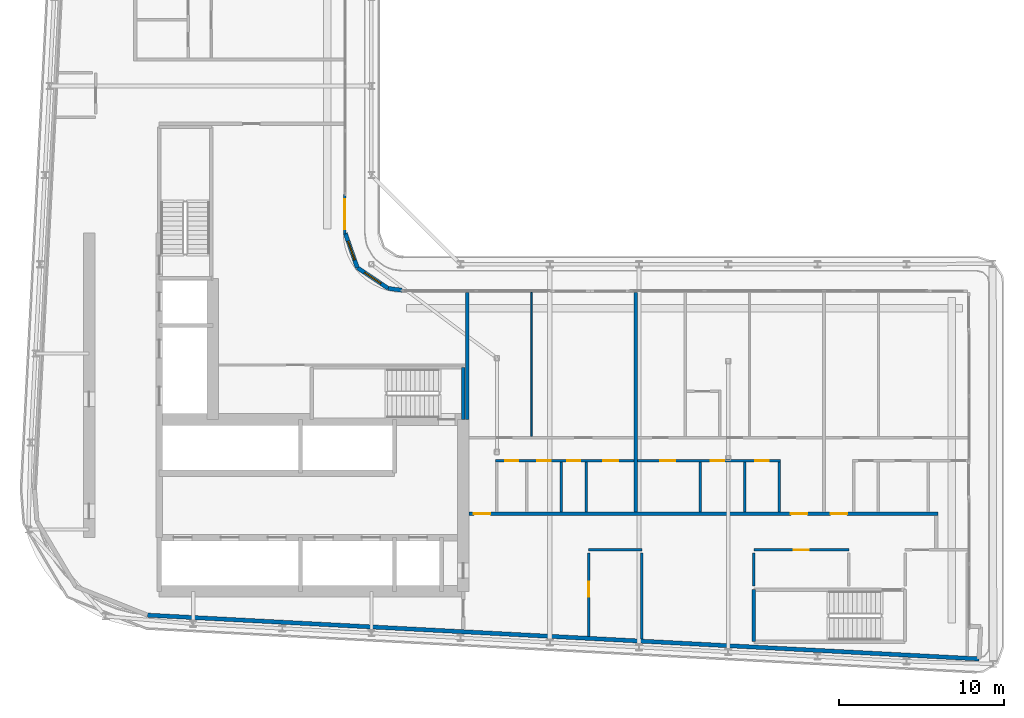
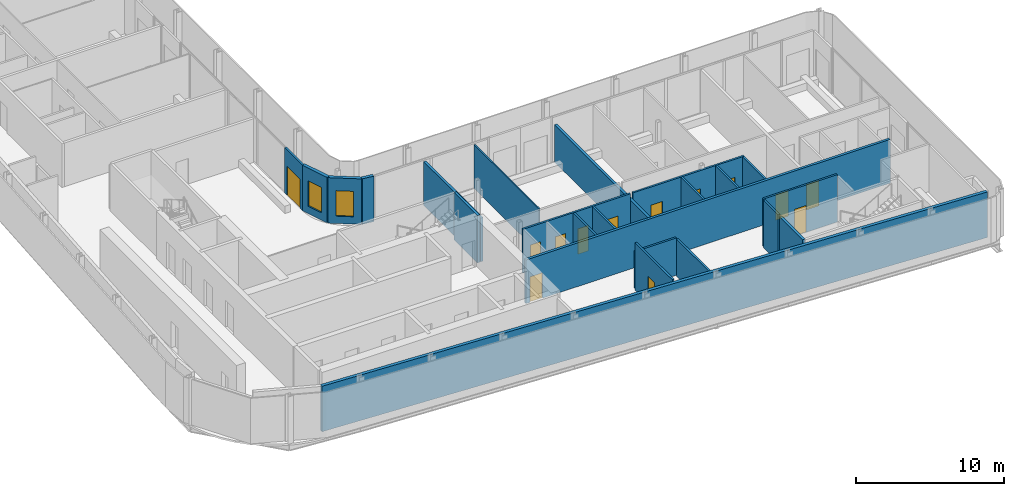
# One storey, part 11 of 22: 23 walls, 13 doors, 2 windows, 15 openings.
"""IFC4 building model written with IfcOpenShell, lengths in metres."""

import ifcopenshell
import ifcopenshell.guid

model = None  # the IFC model being written
_history = None  # IfcOwnerHistory: only IFC2X3 demands one
_inside = {}  # id of a spatial element -> (the spatial element, [elements in it])
_under = {}  # id of a project, library or spatial element -> (it, [spatial elements below it])
_declared = {}  # id of a project -> (the project, [libraries it declares])
_typed = {}  # id of a type object -> (the type object, [elements of that type])
_made_of = {}  # id of a material, layer set ... -> (it, [elements and type objects made of it])


def new_model(schema):
    """Start an empty IFC model of exactly this schema.

    Asked for "IFC4X3", IfcOpenShell would pick the latest addendum, in which some entities
    have other attributes; the version numbers below select the first issue.
    IFC2X3 requires an IfcOwnerHistory on every rooted entity: one is made here for all.
    """
    global model, _history
    if schema == "IFC4X3":
        model = ifcopenshell.file(schema_version=(4, 3, 0, 0))
    else:
        model = ifcopenshell.file(schema=schema)
    _inside.clear()
    _under.clear()
    _declared.clear()
    _typed.clear()
    _made_of.clear()
    _history = None
    if model.schema == "IFC2X3":
        org = make("IfcOrganization", Name="unknown")
        user = make(
            "IfcPersonAndOrganization",
            ThePerson=make("IfcPerson", FamilyName="unknown"),
            TheOrganization=org,
        )
        app = make(
            "IfcApplication",
            ApplicationDeveloper=org,
            Version="unknown",
            ApplicationFullName="unknown",
            ApplicationIdentifier="unknown",
        )
        _history = make(
            "IfcOwnerHistory",
            OwningUser=user,
            OwningApplication=app,
            ChangeAction="ADDED",
            CreationDate=0,
        )
    return model


def make(cls, **values):
    """One entity of the class cls with the attributes given. An attribute that is None is left unset."""
    return model.create_entity(
        cls, **{name: value for name, value in values.items() if value is not None}
    )


def rooted(cls, **values):
    """An entity with a GlobalId (a new one), such as an element, a storey or a relation."""
    return make(cls, GlobalId=ifcopenshell.guid.new(), OwnerHistory=_history, **values)


def si_unit(unit_type, name, prefix=None):
    """IfcSIUnit, for example si_unit("LENGTHUNIT", "METRE", prefix="MILLI")."""
    return make("IfcSIUnit", UnitType=unit_type, Prefix=prefix, Name=name)


def assignment(units):
    """IfcUnitAssignment: the units of a project."""
    return None if units is None else make("IfcUnitAssignment", Units=units)


def point(xyz):
    """IfcCartesianPoint."""
    return None if xyz is None else make("IfcCartesianPoint", Coordinates=xyz)


def direction(xyz):
    """IfcDirection."""
    return None if xyz is None else make("IfcDirection", DirectionRatios=xyz)


def frame(location, z_axis=None, x_axis=None):
    """IfcAxis2Placement3D, a coordinate frame: its origin and axes. An axis left out is left unset."""
    return make(
        "IfcAxis2Placement3D",
        Location=point(location),
        Axis=direction(z_axis),
        RefDirection=direction(x_axis),
    )


def frame_2d(location, x_axis=None):
    """IfcAxis2Placement2D, a coordinate frame in the plane: its origin and x axis."""
    return make(
        "IfcAxis2Placement2D", Location=point(location), RefDirection=direction(x_axis)
    )


def origin():
    """The frame at (0, 0, 0) with its axes left unset."""
    return frame((0.0, 0.0, 0.0))


def place(relative_to, where):
    """IfcLocalPlacement: puts the frame where relative to a parent placement (None: the world)."""
    return make(
        "IfcLocalPlacement", PlacementRelTo=relative_to, RelativePlacement=where
    )


def context(
    kind, dimensions, precision=None, world=None, true_north=None, identifier=None
):
    """IfcGeometricRepresentationContext, for example the 3D "Model" context."""
    return make(
        "IfcGeometricRepresentationContext",
        ContextIdentifier=identifier,
        ContextType=kind,
        CoordinateSpaceDimension=dimensions,
        Precision=precision,
        WorldCoordinateSystem=world,
        TrueNorth=true_north,
    )


def subcontext(parent, identifier, kind, view, scale=None):
    """IfcGeometricRepresentationSubContext, for example "Body" below "Model"."""
    return make(
        "IfcGeometricRepresentationSubContext",
        ContextIdentifier=identifier,
        ContextType=kind,
        ParentContext=parent,
        TargetScale=scale,
        TargetView=view,
    )


def project(units=None, contexts=None):
    """IfcProject with its units and contexts."""
    return rooted(
        "IfcProject",
        Name="project",
        RepresentationContexts=contexts,
        UnitsInContext=assignment(units),
    )


def spatial(cls, under=None, at=None, **own):
    """A site, building, storey or space (cls), placed at a placement, below another one or the project."""
    s = rooted(cls, ObjectPlacement=at, **own)
    if under is not None:
        _under.setdefault(under.id(), (under, []))[1].append(s)
    return s


def profile(cls, at=None, kind="AREA", **sizes):
    """A parametric profile (cls). Its sizes go by their IFC names, for example OverallWidth=200.0."""
    return make(cls, ProfileType=kind, Position=at, **sizes)


def rectangle(**sizes):
    """IfcRectangleProfileDef."""
    return profile("IfcRectangleProfileDef", **sizes)


def extrude(swept, where, along, depth):
    """IfcExtrudedAreaSolid: the profile swept, set in the frame where, extruded along a direction by depth."""
    return make(
        "IfcExtrudedAreaSolid",
        SweptArea=swept,
        Position=where,
        ExtrudedDirection=direction(along),
        Depth=depth,
    )


def shape(context_of_items, identifier, shape_type, items):
    """IfcShapeRepresentation: the items that make up one representation, for example the "Body"."""
    return make(
        "IfcShapeRepresentation",
        ContextOfItems=context_of_items,
        RepresentationIdentifier=identifier,
        RepresentationType=shape_type,
        Items=items,
    )


def source(mapping_origin, context_of_items, identifier, shape_type, items):
    """IfcRepresentationMap: a shape defined once, which mapped items show again and again."""
    return make(
        "IfcRepresentationMap",
        MappingOrigin=mapping_origin,
        MappedRepresentation=shape(context_of_items, identifier, shape_type, items),
    )


def transform(
    local_origin,
    x_axis=None,
    y_axis=None,
    z_axis=None,
    scale=None,
    scale2=None,
    scale3=None,
    uniform=True,
):
    """IfcCartesianTransformationOperator3D, or its non-uniform kind. x_axis, y_axis, z_axis: its Axis1, 2, 3."""
    if uniform:
        return make(
            "IfcCartesianTransformationOperator3D",
            Axis1=direction(x_axis),
            Axis2=direction(y_axis),
            LocalOrigin=point(local_origin),
            Scale=scale,
            Axis3=direction(z_axis),
        )
    return make(
        "IfcCartesianTransformationOperator3DnonUniform",
        Axis1=direction(x_axis),
        Axis2=direction(y_axis),
        LocalOrigin=point(local_origin),
        Scale=scale,
        Axis3=direction(z_axis),
        Scale2=scale2,
        Scale3=scale3,
    )


def mapped(mapping_source, mapping_target):
    """IfcMappedItem: shows the shape of a source again, moved by a transform."""
    return make(
        "IfcMappedItem", MappingSource=mapping_source, MappingTarget=mapping_target
    )


def material(Name=None, Category=None):
    """IfcMaterial."""
    return make("IfcMaterial", Name=Name, Category=Category)


def layer(
    of_material, thickness, ventilated=None, Name=None, Category=None, Priority=None
):
    """IfcMaterialLayer: one layer of a wall or slab, of a material (None: an air gap)."""
    return make(
        "IfcMaterialLayer",
        Material=of_material,
        LayerThickness=thickness,
        IsVentilated=ventilated,
        Name=Name,
        Category=Category,
        Priority=Priority,
    )


def layer_set(layers, Name=None):
    """IfcMaterialLayerSet."""
    return make("IfcMaterialLayerSet", MaterialLayers=layers, LayerSetName=Name)


def made_of(thing, what):
    """Note that an element or type object is made of a material, layer set ...; save() writes the relation."""
    if what is not None:
        _made_of.setdefault(what.id(), (what, []))[1].append(thing)
    return thing


def type_object(cls, material=None, **own):
    """A type object (cls), such as IfcWallType, which elements share."""
    return made_of(rooted(cls, **own), material)


def element(
    cls,
    number,
    at=None,
    inside=None,
    cuts=None,
    type_object=None,
    material=None,
    context=None,
    identifier="Body",
    shape_type=None,
    held_by="IfcProductDefinitionShape",
    body=None,
    shapes=None,
    **own,
):
    """One element of the class cls, such as IfcWall. Its Tag is "e" and its number.

    at: its placement. inside: the storey or other place that contains it. cuts: it is an
    opening in that element (IfcRelVoidsElement). A single representation is given by context,
    identifier, shape_type and body (its items); several are given by shapes. held_by: the class
    of the entity that holds the representations. save() writes the other relations.
    """
    e = rooted(cls, Tag="e%d" % number, ObjectPlacement=at, **own)
    if body is not None:
        shapes = [shape(context, identifier, shape_type, body)]
    if shapes is not None:
        e.Representation = make(held_by, Representations=shapes)
    if inside is not None:
        _inside.setdefault(inside.id(), (inside, []))[1].append(e)
    if cuts is not None:
        rooted(
            "IfcRelVoidsElement", RelatingBuildingElement=cuts, RelatedOpeningElement=e
        )
    if type_object is not None:
        _typed.setdefault(type_object.id(), (type_object, []))[1].append(e)
    return made_of(e, material)


def fill(opening, filler):
    """IfcRelFillsElement: the door or window that sits in an opening."""
    return rooted(
        "IfcRelFillsElement",
        RelatingOpeningElement=opening,
        RelatedBuildingElement=filler,
    )


def aggregate(whole, parts):
    """IfcRelAggregates: a whole, such as a stair, and the parts it consists of."""
    return rooted("IfcRelAggregates", RelatingObject=whole, RelatedObjects=parts)


def save(model, path):
    """Write the relations noted so far, then the file.

    IfcRelAggregates (storeys below a building ...), IfcRelContainedInSpatialStructure (elements
    in a storey), IfcRelDefinesByType, IfcRelAssociatesMaterial and IfcRelDeclares: one each for
    every whole, place, type object, material and project.
    """
    for whole, parts in _under.values():
        aggregate(whole, parts)
    for where, things in _inside.values():
        rooted(
            "IfcRelContainedInSpatialStructure",
            RelatedElements=things,
            RelatingStructure=where,
        )
    for kind, things in _typed.values():
        rooted("IfcRelDefinesByType", RelatedObjects=things, RelatingType=kind)
    for what, things in _made_of.values():
        rooted("IfcRelAssociatesMaterial", RelatedObjects=things, RelatingMaterial=what)
    for by, libraries in _declared.values():
        rooted("IfcRelDeclares", RelatingContext=by, RelatedDefinitions=libraries)
    model.write(path)


model = new_model("IFC4")

# Units and contexts
model_context = context("Model", 3, precision=1e-05, world=origin(), true_north=direction((0.0, 1.0)))
body_context = subcontext(model_context, "Body", "Model", "MODEL_VIEW")
ifc_project = project(units=[si_unit("LENGTHUNIT", "METRE"), si_unit("AREAUNIT", "SQUARE_METRE"), si_unit("VOLUMEUNIT", "CUBIC_METRE"), si_unit("PLANEANGLEUNIT", "RADIAN"), si_unit("MASSUNIT", "GRAM", prefix="KILO")], contexts=[model_context])

# Site, building, storey
site_placement = place(None, origin())
site = spatial("IfcSite", under=ifc_project, at=site_placement, CompositionType="ELEMENT")
building_placement = place(site_placement, origin())
building = spatial("IfcBuilding", under=site, at=building_placement, Name="Kheshtan School and Residences Tower", CompositionType="ELEMENT")
storey_placement = place(building_placement, frame((0.0, 0.0, 255.199951171875)))
storey = spatial("IfcBuildingStorey", under=building, at=storey_placement, Name="L60", CompositionType="ELEMENT", Elevation=255.199951171875)

# Wall, openings, doors
ifc_material_1 = material(Name="Gypsum board on steel studs with fire boards", Category="steel")
ifc_layer_1 = layer(ifc_material_1, 0.199951171875)
ifc_layer_set_1 = layer_set([ifc_layer_1], Name="Corridor wall 200")
wall_type_1 = type_object("IfcWallType", Name="Corridor wall 200", PredefinedType="PARTITIONING", material=ifc_layer_set_1)
wall_1_placement = place(storey_placement, frame((53.4990234375, 30.5, 0.0), z_axis=(0.0, 0.0, 1.0), x_axis=(1.0, 0.0, 0.0)))
wall_1 = element("IfcWall", 1, at=wall_1_placement, inside=storey, type_object=wall_type_1, Name="Partition L60-031", PredefinedType="PARTITIONING", context=body_context, shape_type="SweptSolid", body=[
    extrude(rectangle(XDim=28.40087890625, YDim=0.199951171875, at=frame_2d((14.200439453125, 0.0))), origin(), (0.0, 0.0, 1.0), 3.60009765625),
])
opening_1_placement = place(wall_1_placement, frame((0.301025390625, 0.0, 0.0)))
opening_1 = element("IfcOpeningElement", 2, at=opening_1_placement, cuts=wall_1, Name="Opening D58-003", PredefinedType="OPENING", context=body_context, shape_type="SweptSolid", body=[
    extrude(rectangle(XDim=1.0, YDim=2.10009765625, at=frame_2d((0.5, 1.050048828125))), frame((0.0, 0.10986328125, 0.0), z_axis=(0.0, -1.0, 0.0), x_axis=(1.0, 0.0, 0.0)), (0.0, 0.0, 1.0), 0.219970703125),
])
opening_2_placement = place(wall_1_placement, frame((19.5009765625, 0.0, 0.0)))
opening_2 = element("IfcOpeningElement", 3, at=opening_2_placement, cuts=wall_1, Name="Opening D58-011", PredefinedType="OPENING", context=body_context, shape_type="SweptSolid", body=[
    extrude(rectangle(XDim=1.0, YDim=2.10009765625, at=frame_2d((0.5, 1.050048828125))), frame((0.0, 0.10986328125, 0.0), z_axis=(0.0, -1.0, 0.0), x_axis=(1.0, 0.0, 0.0)), (0.0, 0.0, 1.0), 0.219970703125),
])
opening_3_placement = place(wall_1_placement, frame((21.90087890625, 0.0, 0.0)))
opening_3 = element("IfcOpeningElement", 4, at=opening_3_placement, cuts=wall_1, Name="Opening D58-018", PredefinedType="OPENING", context=body_context, shape_type="SweptSolid", body=[
    extrude(rectangle(XDim=1.0, YDim=2.10009765625, at=frame_2d((0.5, 1.050048828125))), frame((0.0, 0.10986328125, 0.0), z_axis=(0.0, -1.0, 0.0), x_axis=(1.0, 0.0, 0.0)), (0.0, 0.0, 1.0), 0.219970703125),
])
ifc_material_2 = material(Name="Steel-framed fire-resisting door leaf", Category="steel")
door_type_1 = type_object("IfcDoorType", Name="Fire door FD30S 1000 x 2100", OperationType="SINGLE_SWING_LEFT", PredefinedType="DOOR", material=ifc_material_2)
shared_shape_1 = source(origin(), body_context, "Body", "SweptSolid", [
    extrude(rectangle(XDim=1.0, YDim=2.10009765625, at=frame_2d((0.5, 1.050048828125))), frame((0.0, 0.02490234375, 0.0), z_axis=(0.0, -1.0, 0.0), x_axis=(1.0, 0.0, 0.0)), (0.0, 0.0, 1.0), 0.050048828125),
])
door_1_placement = place(opening_1_placement, origin())
door_1 = element("IfcDoor", 5, at=door_1_placement, inside=storey, type_object=door_type_1, Name="Door D58-003", OperationType="SINGLE_SWING_LEFT", OverallHeight=2.10009765625, OverallWidth=1.0, PredefinedType="DOOR", context=body_context, shape_type="MappedRepresentation", body=[
    mapped(shared_shape_1, transform((0.0, 0.0, 0.0), x_axis=(1.0, 0.0, 0.0), y_axis=(0.0, 1.0, 0.0), z_axis=(0.0, 0.0, 1.0), scale=1.0)),
])
fill(opening_1, door_1)
door_2_placement = place(opening_2_placement, origin())
door_2 = element("IfcDoor", 6, at=door_2_placement, inside=storey, type_object=door_type_1, Name="Door D58-011", OperationType="SINGLE_SWING_LEFT", OverallHeight=2.10009765625, OverallWidth=1.0, PredefinedType="DOOR", context=body_context, shape_type="MappedRepresentation", body=[
    mapped(shared_shape_1, transform((0.0, 0.0, 0.0), x_axis=(1.0, 0.0, 0.0), y_axis=(0.0, 1.0, 0.0), z_axis=(0.0, 0.0, 1.0), scale=1.0)),
])
fill(opening_2, door_2)
door_3_placement = place(opening_3_placement, origin())
door_3 = element("IfcDoor", 7, at=door_3_placement, inside=storey, type_object=door_type_1, Name="Door D58-018", OperationType="SINGLE_SWING_LEFT", OverallHeight=2.10009765625, OverallWidth=1.0, PredefinedType="DOOR", context=body_context, shape_type="MappedRepresentation", body=[
    mapped(shared_shape_1, transform((0.0, 0.0, 0.0), x_axis=(1.0, 0.0, 0.0), y_axis=(0.0, 1.0, 0.0), z_axis=(0.0, 0.0, 1.0), scale=1.0)),
])
fill(opening_3, door_3)

# Wall, opening, window
ifc_material_3 = material(Name="Concrete C40/50 with ceramic cladding and mineral wool insulation", Category="concrete")
ifc_layer_2 = layer(ifc_material_3, 0.25)
ifc_layer_set_2 = layer_set([ifc_layer_2], Name="External wall 250 ceramic clad")
wall_type_2 = type_object("IfcWallType", Name="External wall 250 ceramic clad", PredefinedType="SOLIDWALL", material=ifc_layer_set_2)
wall_2_placement = place(storey_placement, frame((46.01806640625, 47.470947265625, 0.0), z_axis=(0.0, 0.0, 1.0), x_axis=(0.328791208903, -0.944402637093, 0.0)))
wall_2 = element("IfcWall", 8, at=wall_2_placement, inside=storey, type_object=wall_type_2, Name="External wall L60 9", PredefinedType="SOLIDWALL", context=body_context, shape_type="SweptSolid", body=[
    extrude(rectangle(XDim=2.20458984375, YDim=0.25, at=frame_2d((1.102294921875, 0.0))), origin(), (0.0, 0.0, 1.0), 3.75),
])
opening_4_placement = place(wall_2_placement, frame((0.5029296875, 0.0, 0.60009765625)))
opening_4 = element("IfcOpeningElement", 9, at=opening_4_placement, cuts=wall_2, Name="Opening WN-E", PredefinedType="OPENING", context=body_context, shape_type="SweptSolid", body=[
    extrude(rectangle(XDim=1.199951171875, YDim=2.10009765625, at=frame_2d((0.60009765625, 1.050048828125))), frame((0.0, 0.135009765625, 0.0), z_axis=(0.0, -1.0, 0.0), x_axis=(1.0, 0.0, 0.0)), (0.0, 0.0, 1.0), 0.27001953125),
])
ifc_material_4 = material(Name="Clear low-e glass in thermally broken aluminium frame", Category="aluminium")
window_type = type_object("IfcWindowType", Name="Window WN-E", PartitioningType="SINGLE_PANEL", PredefinedType="WINDOW", material=ifc_material_4)
shared_shape_2 = source(origin(), body_context, "Body", "SweptSolid", [
    extrude(rectangle(XDim=1.199951171875, YDim=2.10009765625, at=frame_2d((0.60009765625, 1.050048828125))), frame((0.0, 0.030029296875, 0.0), z_axis=(0.0, -1.0, 0.0), x_axis=(1.0, 0.0, 0.0)), (0.0, 0.0, 1.0), 0.06005859375),
])
window_1_placement = place(opening_4_placement, origin())
window_1 = element("IfcWindow", 10, at=window_1_placement, inside=storey, type_object=window_type, Name="Window L60 9", OverallHeight=2.10009765625, OverallWidth=1.199951171875, PartitioningType="SINGLE_PANEL", PredefinedType="WINDOW", context=body_context, shape_type="MappedRepresentation", body=[
    mapped(shared_shape_2, transform((0.0, 0.0, 0.0), x_axis=(1.0, 0.0, 0.0), y_axis=(0.0, 1.0, 0.0), z_axis=(0.0, 0.0, 1.0), scale=1.0)),
])
fill(opening_4, window_1)

wall_3_placement = place(storey_placement, frame((46.742919921875, 45.388916015625, 0.0), z_axis=(0.0, 0.0, 1.0), x_axis=(0.831449265529, -0.555600682912, 0.0)))
wall_3 = element("IfcWall", 11, at=wall_3_placement, inside=storey, type_object=wall_type_2, Name="External wall L60 10", PredefinedType="SOLIDWALL", context=body_context, shape_type="SweptSolid", body=[
    extrude(rectangle(XDim=2.25146484375, YDim=0.25, at=frame_2d((1.125732421875, 0.0))), origin(), (0.0, 0.0, 1.0), 3.75),
])
opening_5_placement = place(wall_3_placement, frame((0.52490234375, 0.0, 0.60009765625)))
opening_5 = element("IfcOpeningElement", 12, at=opening_5_placement, cuts=wall_3, Name="Opening WN-E", PredefinedType="OPENING", context=body_context, shape_type="SweptSolid", body=[
    extrude(rectangle(XDim=1.199951171875, YDim=2.10009765625, at=frame_2d((0.60009765625, 1.050048828125))), frame((0.0, 0.135009765625, 0.0), z_axis=(0.0, -1.0, 0.0), x_axis=(1.0, 0.0, 0.0)), (0.0, 0.0, 1.0), 0.27001953125),
])
window_2_placement = place(opening_5_placement, origin())
window_2 = element("IfcWindow", 13, at=window_2_placement, inside=storey, type_object=window_type, Name="Window L60 10", OverallHeight=2.10009765625, OverallWidth=1.199951171875, PartitioningType="SINGLE_PANEL", PredefinedType="WINDOW", context=body_context, shape_type="MappedRepresentation", body=[
    mapped(shared_shape_2, transform((0.0, 0.0, 0.0), x_axis=(1.0, 0.0, 0.0), y_axis=(0.0, 1.0, 0.0), z_axis=(0.0, 0.0, 1.0), scale=1.0)),
])
fill(opening_5, window_2)

# Walls
wall_4_placement = place(storey_placement, frame((48.614990234375, 44.137939453125, 0.0), z_axis=(0.0, 0.0, 1.0), x_axis=(0.990741504246, -0.135761819977, 0.0)))
element("IfcWall", 14, at=wall_4_placement, inside=storey, type_object=wall_type_2, Name="External wall L60 11", PredefinedType="SOLIDWALL", context=body_context, shape_type="SweptSolid", body=[
    extrude(rectangle(XDim=0.83984375, YDim=0.25, at=frame_2d((0.419921875, 0.0))), origin(), (0.0, 0.0, 1.0), 3.75),
])
wall_5_placement = place(storey_placement, frame((84.385986328125, 21.702880859375, 0.0), z_axis=(0.0, 0.0, 1.0), x_axis=(-0.998617508267, 0.05256493302, 0.0)))
element("IfcWall", 15, at=wall_5_placement, inside=storey, type_object=wall_type_2, Name="External wall L60 16", PredefinedType="SOLIDWALL", context=body_context, shape_type="SweptSolid", body=[
    extrude(rectangle(XDim=50.41650390625, YDim=0.25, at=frame_2d((25.208251953125, 0.0))), origin(), (0.0, 0.0, 1.0), 3.75),
])

# Wall, opening, door
ifc_material_5 = material(Name="Aluminium frame wall with insulated infill", Category="aluminium")
ifc_layer_3 = layer(ifc_material_5, 0.14990234375)
ifc_layer_set_3 = layer_set([ifc_layer_3], Name="Glazing frame wall 150")
wall_type_3 = type_object("IfcWallType", Name="Glazing frame wall 150", PredefinedType="SOLIDWALL", material=ifc_layer_set_3)
wall_6_placement = place(storey_placement, frame((45.97509765625, 49.830078125, 0.0), z_axis=(0.0, 0.0, 1.0), x_axis=(0.0, -1.0, 0.0)))
wall_6 = element("IfcWall", 16, at=wall_6_placement, inside=storey, type_object=wall_type_3, Name="Balcony door wall L60 8.5", PredefinedType="SOLIDWALL", context=body_context, shape_type="SweptSolid", body=[
    extrude(rectangle(XDim=2.400146484375, YDim=0.14990234375, at=frame_2d((1.2001953125, 0.0))), origin(), (0.0, 0.0, 1.0), 3.75),
])
opening_6_placement = place(wall_6_placement, frame((0.300048828125, 0.0, 0.0)))
opening_6 = element("IfcOpeningElement", 17, at=opening_6_placement, cuts=wall_6, Name="Opening BD", PredefinedType="OPENING", context=body_context, shape_type="SweptSolid", body=[
    extrude(rectangle(XDim=1.800048828125, YDim=2.39990234375, at=frame_2d((0.89990234375, 1.199951171875))), frame((0.0, 0.0849609375, 0.0), z_axis=(0.0, -1.0, 0.0), x_axis=(1.0, 0.0, 0.0)), (0.0, 0.0, 1.0), 0.169921875),
])
door_type_2 = type_object("IfcDoorType", Name="Balcony sliding door", OperationType="SLIDING_TO_LEFT", PredefinedType="DOOR", material=ifc_material_4)
shared_shape_3 = source(origin(), body_context, "Body", "SweptSolid", [
    extrude(rectangle(XDim=1.800048828125, YDim=2.39990234375, at=frame_2d((0.89990234375, 1.199951171875))), frame((0.0, 0.02490234375, 0.0), z_axis=(0.0, -1.0, 0.0), x_axis=(1.0, 0.0, 0.0)), (0.0, 0.0, 1.0), 0.050048828125),
])
door_4_placement = place(opening_6_placement, origin())
door_4 = element("IfcDoor", 18, at=door_4_placement, inside=storey, type_object=door_type_2, Name="Balcony door L60 8.5", OperationType="SLIDING_TO_LEFT", OverallHeight=2.39990234375, OverallWidth=1.800048828125, PredefinedType="DOOR", context=body_context, shape_type="MappedRepresentation", body=[
    mapped(shared_shape_3, transform((0.0, 0.0, 0.0), x_axis=(1.0, 0.0, 0.0), y_axis=(0.0, 1.0, 0.0), z_axis=(0.0, 0.0, 1.0), scale=1.0)),
])
fill(opening_6, door_4)

# Walls
ifc_material_6 = material(Name="Gypsum board on steel studs", Category="steel")
ifc_layer_4 = layer(ifc_material_6, 0.10009765625)
ifc_layer_set_4 = layer_set([ifc_layer_4], Name="Gypsum partition 100")
wall_type_4 = type_object("IfcWallType", Name="Gypsum partition 100", PredefinedType="PARTITIONING", material=ifc_layer_set_4)
wall_7_placement = place(storey_placement, frame((57.300048828125, 35.175048828125, 0.0), z_axis=(0.0, 0.0, 1.0), x_axis=(0.0, 1.0, 0.0)))
element("IfcWall", 19, at=wall_7_placement, inside=storey, type_object=wall_type_4, Name="Partition L60-036", PredefinedType="PARTITIONING", context=body_context, shape_type="SweptSolid", body=[
    extrude(rectangle(XDim=8.724853515625, YDim=0.10009765625, at=frame_2d((4.3623046875, 0.0))), origin(), (0.0, 0.0, 1.0), 3.60009765625),
])
ifc_material_7 = material(Name="Fire-board shaft wall system")
ifc_layer_5 = layer(ifc_material_7, 0.14990234375)
ifc_layer_set_5 = layer_set([ifc_layer_5], Name="Service room wall 150")
wall_type_5 = type_object("IfcWallType", Name="Service room wall 150", PredefinedType="PARTITIONING", material=ifc_layer_set_5)
wall_8_placement = place(storey_placement, frame((60.75, 28.300048828125, 0.0), z_axis=(0.0, 0.0, 1.0), x_axis=(1.0, 0.0, 0.0)))
element("IfcWall", 20, at=wall_8_placement, inside=storey, type_object=wall_type_5, Name="Service room wall", PredefinedType="PARTITIONING", context=body_context, shape_type="SweptSolid", body=[
    extrude(rectangle(XDim=3.22998046875, YDim=0.14990234375, at=frame_2d((1.614990234375, 0.0))), origin(), (0.0, 0.0, 1.0), 3.072021484375),
])

# Wall, opening, door
wall_9_placement = place(storey_placement, frame((60.75, 23.074951171875, 0.0), z_axis=(0.0, 0.0, 1.0), x_axis=(0.0, 1.0, 0.0)))
wall_9 = element("IfcWall", 21, at=wall_9_placement, inside=storey, type_object=wall_type_5, Name="Service room wall", PredefinedType="PARTITIONING", context=body_context, shape_type="SweptSolid", body=[
    extrude(rectangle(XDim=5.030029296875, YDim=0.14990234375, at=frame_2d((2.51513671875, 0.0))), origin(), (0.0, 0.0, 1.0), 3.900146484375),
])
opening_7_placement = place(wall_9_placement, frame((2.386962890625, 0.0, 0.0)))
opening_7 = element("IfcOpeningElement", 22, at=opening_7_placement, cuts=wall_9, Name="Opening SR90", PredefinedType="OPENING", context=body_context, shape_type="SweptSolid", body=[
    extrude(rectangle(XDim=0.89990234375, YDim=2.199951171875, at=frame_2d((0.449951171875, 1.10009765625))), frame((0.0, 0.0849609375, 0.0), z_axis=(0.0, -1.0, 0.0), x_axis=(1.0, 0.0, 0.0)), (0.0, 0.0, 1.0), 0.169921875),
])
ifc_material_8 = material(Name="Steel door leaf, galvanised", Category="steel")
door_type_3 = type_object("IfcDoorType", Name="Service room door 900 steel 90 min", OperationType="SINGLE_SWING_LEFT", PredefinedType="DOOR", material=ifc_material_8)
shared_shape_4 = source(origin(), body_context, "Body", "SweptSolid", [
    extrude(rectangle(XDim=0.89990234375, YDim=2.199951171875, at=frame_2d((0.449951171875, 1.10009765625))), frame((0.0, 0.02490234375, 0.0), z_axis=(0.0, -1.0, 0.0), x_axis=(1.0, 0.0, 0.0)), (0.0, 0.0, 1.0), 0.050048828125),
])
door_5_placement = place(opening_7_placement, origin())
door_5 = element("IfcDoor", 23, at=door_5_placement, inside=storey, type_object=door_type_3, Name="Service room door", OperationType="SINGLE_SWING_LEFT", OverallHeight=2.199951171875, OverallWidth=0.89990234375, PredefinedType="DOOR", context=body_context, shape_type="MappedRepresentation", body=[
    mapped(shared_shape_4, transform((0.0, 0.0, 0.0), x_axis=(1.0, 0.0, 0.0), y_axis=(0.0, 1.0, 0.0), z_axis=(0.0, 0.0, 1.0), scale=1.0)),
])
fill(opening_7, door_5)

# Wall
wall_10_placement = place(storey_placement, frame((63.97998046875, 22.905029296875, 0.0), z_axis=(0.0, 0.0, 1.0), x_axis=(0.0, 1.0, 0.0)))
element("IfcWall", 24, at=wall_10_placement, inside=storey, type_object=wall_type_5, Name="Service room wall", PredefinedType="PARTITIONING", context=body_context, shape_type="SweptSolid", body=[
    extrude(rectangle(XDim=5.199951171875, YDim=0.14990234375, at=frame_2d((2.60009765625, 0.0))), origin(), (0.0, 0.0, 1.0), 3.072021484375),
])

# Wall, opening, door
wall_11_placement = place(storey_placement, frame((70.75, 28.300048828125, 0.0), z_axis=(0.0, 0.0, 1.0), x_axis=(1.0, 0.0, 0.0)))
wall_11 = element("IfcWall", 25, at=wall_11_placement, inside=storey, type_object=wall_type_5, Name="Service room wall", PredefinedType="PARTITIONING", context=body_context, shape_type="SweptSolid", body=[
    extrude(rectangle(XDim=5.760009765625, YDim=0.14990234375, at=frame_2d((2.8798828125, 0.0))), origin(), (0.0, 0.0, 1.0), 3.900146484375),
])
opening_8_placement = place(wall_11_placement, frame((2.429931640625, 0.0, 0.0)))
opening_8 = element("IfcOpeningElement", 26, at=opening_8_placement, cuts=wall_11, Name="Opening SR90", PredefinedType="OPENING", context=body_context, shape_type="SweptSolid", body=[
    extrude(rectangle(XDim=0.89990234375, YDim=2.199951171875, at=frame_2d((0.449951171875, 1.10009765625))), frame((0.0, 0.0849609375, 0.0), z_axis=(0.0, -1.0, 0.0), x_axis=(1.0, 0.0, 0.0)), (0.0, 0.0, 1.0), 0.169921875),
])
door_6_placement = place(opening_8_placement, origin())
door_6 = element("IfcDoor", 27, at=door_6_placement, inside=storey, type_object=door_type_3, Name="Service room door", OperationType="SINGLE_SWING_LEFT", OverallHeight=2.199951171875, OverallWidth=0.89990234375, PredefinedType="DOOR", context=body_context, shape_type="MappedRepresentation", body=[
    mapped(shared_shape_4, transform((0.0, 0.0, 0.0), x_axis=(1.0, 0.0, 0.0), y_axis=(0.0, 1.0, 0.0), z_axis=(0.0, 0.0, 1.0), scale=1.0)),
])
fill(opening_8, door_6)

# Walls
wall_12_placement = place(storey_placement, frame((70.75, 26.1201171875, 0.0), z_axis=(0.0, 0.0, 1.0), x_axis=(0.0, 1.0, 0.0)))
element("IfcWall", 28, at=wall_12_placement, inside=storey, type_object=wall_type_5, Name="Service room wall", PredefinedType="PARTITIONING", context=body_context, shape_type="SweptSolid", body=[
    extrude(rectangle(XDim=1.98486328125, YDim=0.14990234375, at=frame_2d((0.992431640625, 0.0))), origin(), (0.0, 0.0, 1.0), 3.900146484375),
])
ifc_material_9 = material(Name="Concrete C40/50", Category="concrete")
ifc_layer_6 = layer(ifc_material_9, 0.199951171875)
ifc_layer_set_6 = layer_set([ifc_layer_6], Name="Stair enclosure wall 200 Concrete C40/50")
wall_type_6 = type_object("IfcWallType", Name="Stair enclosure wall 200 Concrete C40/50", PredefinedType="SHEAR", material=ifc_layer_set_6)
wall_13_placement = place(storey_placement, frame((53.14990234375, 36.199951171875, 0.0), z_axis=(0.0, 0.0, 1.0), x_axis=(0.0, 1.0, 0.0)))
element("IfcWall", 29, at=wall_13_placement, inside=storey, type_object=wall_type_6, Name="Stair enclosure wall ST1", PredefinedType="SHEAR", context=body_context, shape_type="SweptSolid", body=[
    extrude(rectangle(XDim=3.150146484375, YDim=0.199951171875, at=frame_2d((1.5751953125, 0.0))), origin(), (0.0, 0.0, 1.0), 3.900146484375),
])
wall_14_placement = place(storey_placement, frame((70.75, 22.75, 0.0), z_axis=(0.0, 0.0, 1.0), x_axis=(0.0, 1.0, 0.0)))
element("IfcWall", 30, at=wall_14_placement, inside=storey, type_object=wall_type_6, Name="Stair enclosure wall ST5", PredefinedType="SHEAR", context=body_context, shape_type="SweptSolid", body=[
    extrude(rectangle(XDim=3.14990234375, YDim=0.199951171875, at=frame_2d((1.574951171875, 0.0))), origin(), (0.0, 0.0, 1.0), 3.900146484375),
])
ifc_material_10 = material(Name="Twin gypsum board on steel studs with mineral wool", Category="steel")
ifc_layer_7 = layer(ifc_material_10, 0.199951171875)
ifc_layer_set_7 = layer_set([ifc_layer_7], Name="Unit demising wall 200")
wall_type_7 = type_object("IfcWallType", Name="Unit demising wall 200", PredefinedType="PARTITIONING", material=ifc_layer_set_7)
wall_15_placement = place(storey_placement, frame((53.39990234375, 36.198974609375, 0.0), z_axis=(0.0, 0.0, 1.0), x_axis=(0.0, 1.0, 0.0)))
element("IfcWall", 31, at=wall_15_placement, inside=storey, type_object=wall_type_7, Name="Partition L60-030", PredefinedType="PARTITIONING", context=body_context, shape_type="SweptSolid", body=[
    extrude(rectangle(XDim=7.700927734375, YDim=0.199951171875, at=frame_2d((3.8505859375, 0.0))), origin(), (0.0, 0.0, 1.0), 3.60009765625),
])
wall_16_placement = place(storey_placement, frame((63.60009765625, 30.60009765625, 0.0), z_axis=(0.0, 0.0, 1.0), x_axis=(0.0, 1.0, 0.0)))
element("IfcWall", 32, at=wall_16_placement, inside=storey, type_object=wall_type_7, Name="Partition L60-039", PredefinedType="PARTITIONING", context=body_context, shape_type="SweptSolid", body=[
    extrude(rectangle(XDim=13.2998046875, YDim=0.199951171875, at=frame_2d((6.64990234375, 0.0))), origin(), (0.0, 0.0, 1.0), 3.072021484375),
])

# Wall, openings, doors
ifc_material_11 = material(Name="Moisture-resistant gypsum board on steel studs", Category="steel")
ifc_layer_8 = layer(ifc_material_11, 0.14990234375)
ifc_layer_set_8 = layer_set([ifc_layer_8], Name="Wet-room partition 150")
wall_type_8 = type_object("IfcWallType", Name="Wet-room partition 150", PredefinedType="PARTITIONING", material=ifc_layer_set_8)
wall_17_placement = place(storey_placement, frame((55.125, 33.699951171875, 0.0), z_axis=(0.0, 0.0, 1.0), x_axis=(1.0, 0.0, 0.0)))
wall_17 = element("IfcWall", 33, at=wall_17_placement, inside=storey, type_object=wall_type_8, Name="Partition L60-033", PredefinedType="PARTITIONING", context=body_context, shape_type="SweptSolid", body=[
    extrude(rectangle(XDim=8.375, YDim=0.14990234375, at=frame_2d((4.1875, 0.0))), origin(), (0.0, 0.0, 1.0), 3.60009765625),
])
opening_9_placement = place(wall_17_placement, frame((2.52490234375, 0.0, 0.0)))
opening_9 = element("IfcOpeningElement", 34, at=opening_9_placement, cuts=wall_17, Name="Opening D58-001", PredefinedType="OPENING", context=body_context, shape_type="SweptSolid", body=[
    extrude(rectangle(XDim=0.800048828125, YDim=2.10009765625, at=frame_2d((0.39990234375, 1.050048828125))), frame((0.0, 0.0849609375, 0.0), z_axis=(0.0, -1.0, 0.0), x_axis=(1.0, 0.0, 0.0)), (0.0, 0.0, 1.0), 0.169921875),
])
opening_10_placement = place(wall_17_placement, frame((6.52490234375, 0.0, 0.0)))
opening_10 = element("IfcOpeningElement", 35, at=opening_10_placement, cuts=wall_17, Name="Opening D58-004", PredefinedType="OPENING", context=body_context, shape_type="SweptSolid", body=[
    extrude(rectangle(XDim=0.89990234375, YDim=2.10009765625, at=frame_2d((0.449951171875, 1.050048828125))), frame((0.0, 0.0849609375, 0.0), z_axis=(0.0, -1.0, 0.0), x_axis=(1.0, 0.0, 0.0)), (0.0, 0.0, 1.0), 0.169921875),
])
opening_11_placement = place(wall_17_placement, frame((0.574951171875, 0.0, 0.0)))
opening_11 = element("IfcOpeningElement", 36, at=opening_11_placement, cuts=wall_17, Name="Opening D58-005", PredefinedType="OPENING", context=body_context, shape_type="SweptSolid", body=[
    extrude(rectangle(XDim=0.800048828125, YDim=2.10009765625, at=frame_2d((0.39990234375, 1.050048828125))), frame((0.0, 0.0849609375, 0.0), z_axis=(0.0, -1.0, 0.0), x_axis=(1.0, 0.0, 0.0)), (0.0, 0.0, 1.0), 0.169921875),
])
opening_12_placement = place(wall_17_placement, frame((4.324951171875, 0.0, 0.0)))
opening_12 = element("IfcOpeningElement", 37, at=opening_12_placement, cuts=wall_17, Name="Opening D58-007", PredefinedType="OPENING", context=body_context, shape_type="SweptSolid", body=[
    extrude(rectangle(XDim=0.800048828125, YDim=2.10009765625, at=frame_2d((0.39990234375, 1.050048828125))), frame((0.0, 0.0849609375, 0.0), z_axis=(0.0, -1.0, 0.0), x_axis=(1.0, 0.0, 0.0)), (0.0, 0.0, 1.0), 0.169921875),
])
ifc_material_12 = material(Name="Veneered timber door leaf", Category="wood")
door_type_4 = type_object("IfcDoorType", Name="Door 800 x 2100", OperationType="SINGLE_SWING_LEFT", PredefinedType="DOOR", material=ifc_material_12)
shared_shape_5 = source(origin(), body_context, "Body", "SweptSolid", [
    extrude(rectangle(XDim=0.800048828125, YDim=2.10009765625, at=frame_2d((0.39990234375, 1.050048828125))), frame((0.0, 0.02490234375, 0.0), z_axis=(0.0, -1.0, 0.0), x_axis=(1.0, 0.0, 0.0)), (0.0, 0.0, 1.0), 0.050048828125),
])
door_7_placement = place(opening_9_placement, origin())
door_7 = element("IfcDoor", 38, at=door_7_placement, inside=storey, type_object=door_type_4, Name="Door D58-001", OperationType="SINGLE_SWING_RIGHT", OverallHeight=2.10009765625, OverallWidth=0.800048828125, PredefinedType="DOOR", context=body_context, shape_type="MappedRepresentation", body=[
    mapped(shared_shape_5, transform((0.0, 0.0, 0.0), x_axis=(1.0, 0.0, 0.0), y_axis=(0.0, 1.0, 0.0), z_axis=(0.0, 0.0, 1.0), scale=1.0)),
])
fill(opening_9, door_7)
door_8_placement = place(opening_11_placement, origin())
door_8 = element("IfcDoor", 39, at=door_8_placement, inside=storey, type_object=door_type_4, Name="Door D58-005", OperationType="SINGLE_SWING_LEFT", OverallHeight=2.10009765625, OverallWidth=0.800048828125, PredefinedType="DOOR", context=body_context, shape_type="MappedRepresentation", body=[
    mapped(shared_shape_5, transform((0.0, 0.0, 0.0), x_axis=(1.0, 0.0, 0.0), y_axis=(0.0, 1.0, 0.0), z_axis=(0.0, 0.0, 1.0), scale=1.0)),
])
fill(opening_11, door_8)
door_9_placement = place(opening_12_placement, origin())
door_9 = element("IfcDoor", 40, at=door_9_placement, inside=storey, type_object=door_type_4, Name="Door D58-007", OperationType="SINGLE_SWING_RIGHT", OverallHeight=2.10009765625, OverallWidth=0.800048828125, PredefinedType="DOOR", context=body_context, shape_type="MappedRepresentation", body=[
    mapped(shared_shape_5, transform((0.0, 0.0, 0.0), x_axis=(1.0, 0.0, 0.0), y_axis=(0.0, 1.0, 0.0), z_axis=(0.0, 0.0, 1.0), scale=1.0)),
])
fill(opening_12, door_9)
door_type_5 = type_object("IfcDoorType", Name="Door 900 x 2100", OperationType="SINGLE_SWING_LEFT", PredefinedType="DOOR", material=ifc_material_12)
shared_shape_6 = source(origin(), body_context, "Body", "SweptSolid", [
    extrude(rectangle(XDim=0.89990234375, YDim=2.10009765625, at=frame_2d((0.449951171875, 1.050048828125))), frame((0.0, 0.02490234375, 0.0), z_axis=(0.0, -1.0, 0.0), x_axis=(1.0, 0.0, 0.0)), (0.0, 0.0, 1.0), 0.050048828125),
])
door_10_placement = place(opening_10_placement, origin())
door_10 = element("IfcDoor", 41, at=door_10_placement, inside=storey, type_object=door_type_5, Name="Door D58-004", OperationType="SINGLE_SWING_RIGHT", OverallHeight=2.10009765625, OverallWidth=0.89990234375, PredefinedType="DOOR", context=body_context, shape_type="MappedRepresentation", body=[
    mapped(shared_shape_6, transform((0.0, 0.0, 0.0), x_axis=(1.0, 0.0, 0.0), y_axis=(0.0, 1.0, 0.0), z_axis=(0.0, 0.0, 1.0), scale=1.0)),
])
fill(opening_10, door_10)

# Walls
for number, where, z_axis, x_axis, name in (
    (42, (59.10009765625, 30.60009765625, 0.0), (0.0, 0.0, 1.0), (0.0, 1.0, 0.0), "Partition L60-037"),
    (43, (60.60009765625, 30.60009765625, 0.0), (0.0, 0.0, 1.0), (0.0, 1.0, 0.0), "Partition L60-038"),
):
    element("IfcWall", number, at=place(storey_placement, frame(where, z_axis=z_axis, x_axis=x_axis)), inside=storey, type_object=wall_type_8, Name=name, PredefinedType="PARTITIONING", context=body_context, shape_type="SweptSolid", body=[
        extrude(rectangle(XDim=3.02490234375, YDim=0.14990234375, at=frame_2d((1.512451171875, 0.0))), origin(), (0.0, 0.0, 1.0), 3.60009765625),
    ])

# Wall, openings, doors
wall_18_placement = place(storey_placement, frame((63.699951171875, 33.699951171875, 0.0), z_axis=(0.0, 0.0, 1.0), x_axis=(1.0, 0.0, 0.0)))
wall_18 = element("IfcWall", 44, at=wall_18_placement, inside=storey, type_object=wall_type_8, Name="Partition L60-040", PredefinedType="PARTITIONING", context=body_context, shape_type="SweptSolid", body=[
    extrude(rectangle(XDim=8.675048828125, YDim=0.14990234375, at=frame_2d((4.33740234375, 0.0))), origin(), (0.0, 0.0, 1.0), 3.60009765625),
])
opening_13_placement = place(wall_18_placement, frame((4.449951171875, 0.0, 0.0)))
opening_13 = element("IfcOpeningElement", 45, at=opening_13_placement, cuts=wall_18, Name="Opening D58-008", PredefinedType="OPENING", context=body_context, shape_type="SweptSolid", body=[
    extrude(rectangle(XDim=0.800048828125, YDim=2.10009765625, at=frame_2d((0.39990234375, 1.050048828125))), frame((0.0, 0.0849609375, 0.0), z_axis=(0.0, -1.0, 0.0), x_axis=(1.0, 0.0, 0.0)), (0.0, 0.0, 1.0), 0.169921875),
])
opening_14_placement = place(wall_18_placement, frame((1.39990234375, 0.0, 0.0)))
opening_14 = element("IfcOpeningElement", 46, at=opening_14_placement, cuts=wall_18, Name="Opening D58-012", PredefinedType="OPENING", context=body_context, shape_type="SweptSolid", body=[
    extrude(rectangle(XDim=0.89990234375, YDim=2.10009765625, at=frame_2d((0.449951171875, 1.050048828125))), frame((0.0, 0.0849609375, 0.0), z_axis=(0.0, -1.0, 0.0), x_axis=(1.0, 0.0, 0.0)), (0.0, 0.0, 1.0), 0.169921875),
])
opening_15_placement = place(wall_18_placement, frame((7.14990234375, 0.0, 0.0)))
opening_15 = element("IfcOpeningElement", 47, at=opening_15_placement, cuts=wall_18, Name="Opening D58-015", PredefinedType="OPENING", context=body_context, shape_type="SweptSolid", body=[
    extrude(rectangle(XDim=0.800048828125, YDim=2.10009765625, at=frame_2d((0.39990234375, 1.050048828125))), frame((0.0, 0.0849609375, 0.0), z_axis=(0.0, -1.0, 0.0), x_axis=(1.0, 0.0, 0.0)), (0.0, 0.0, 1.0), 0.169921875),
])
door_11_placement = place(opening_13_placement, origin())
door_11 = element("IfcDoor", 48, at=door_11_placement, inside=storey, type_object=door_type_4, Name="Door D58-008", OperationType="SINGLE_SWING_RIGHT", OverallHeight=2.10009765625, OverallWidth=0.800048828125, PredefinedType="DOOR", context=body_context, shape_type="MappedRepresentation", body=[
    mapped(shared_shape_5, transform((0.0, 0.0, 0.0), x_axis=(1.0, 0.0, 0.0), y_axis=(0.0, 1.0, 0.0), z_axis=(0.0, 0.0, 1.0), scale=1.0)),
])
fill(opening_13, door_11)
door_12_placement = place(opening_15_placement, origin())
door_12 = element("IfcDoor", 49, at=door_12_placement, inside=storey, type_object=door_type_4, Name="Door D58-015", OperationType="SINGLE_SWING_LEFT", OverallHeight=2.10009765625, OverallWidth=0.800048828125, PredefinedType="DOOR", context=body_context, shape_type="MappedRepresentation", body=[
    mapped(shared_shape_5, transform((0.0, 0.0, 0.0), x_axis=(1.0, 0.0, 0.0), y_axis=(0.0, 1.0, 0.0), z_axis=(0.0, 0.0, 1.0), scale=1.0)),
])
fill(opening_15, door_12)
door_13_placement = place(opening_14_placement, origin())
door_13 = element("IfcDoor", 50, at=door_13_placement, inside=storey, type_object=door_type_5, Name="Door D58-012", OperationType="SINGLE_SWING_LEFT", OverallHeight=2.10009765625, OverallWidth=0.89990234375, PredefinedType="DOOR", context=body_context, shape_type="MappedRepresentation", body=[
    mapped(shared_shape_6, transform((0.0, 0.0, 0.0), x_axis=(1.0, 0.0, 0.0), y_axis=(0.0, 1.0, 0.0), z_axis=(0.0, 0.0, 1.0), scale=1.0)),
])
fill(opening_14, door_13)

# Walls
for number, where, z_axis, x_axis, name in (
    (51, (67.5, 30.60009765625, 0.0), (0.0, 0.0, 1.0), (0.0, 1.0, 0.0), "Partition L60-044"),
    (52, (70.199951171875, 30.60009765625, 0.0), (0.0, 0.0, 1.0), (0.0, 1.0, 0.0), "Partition L60-046"),
    (53, (72.300048828125, 30.60009765625, 0.0), (0.0, 0.0, 1.0), (0.0, 1.0, 0.0), "Partition L60-048"),
):
    element("IfcWall", number, at=place(storey_placement, frame(where, z_axis=z_axis, x_axis=x_axis)), inside=storey, type_object=wall_type_8, Name=name, PredefinedType="PARTITIONING", context=body_context, shape_type="SweptSolid", body=[
        extrude(rectangle(XDim=3.02490234375, YDim=0.14990234375, at=frame_2d((1.512451171875, 0.0))), origin(), (0.0, 0.0, 1.0), 3.60009765625),
    ])

save(model, "model.ifc")
